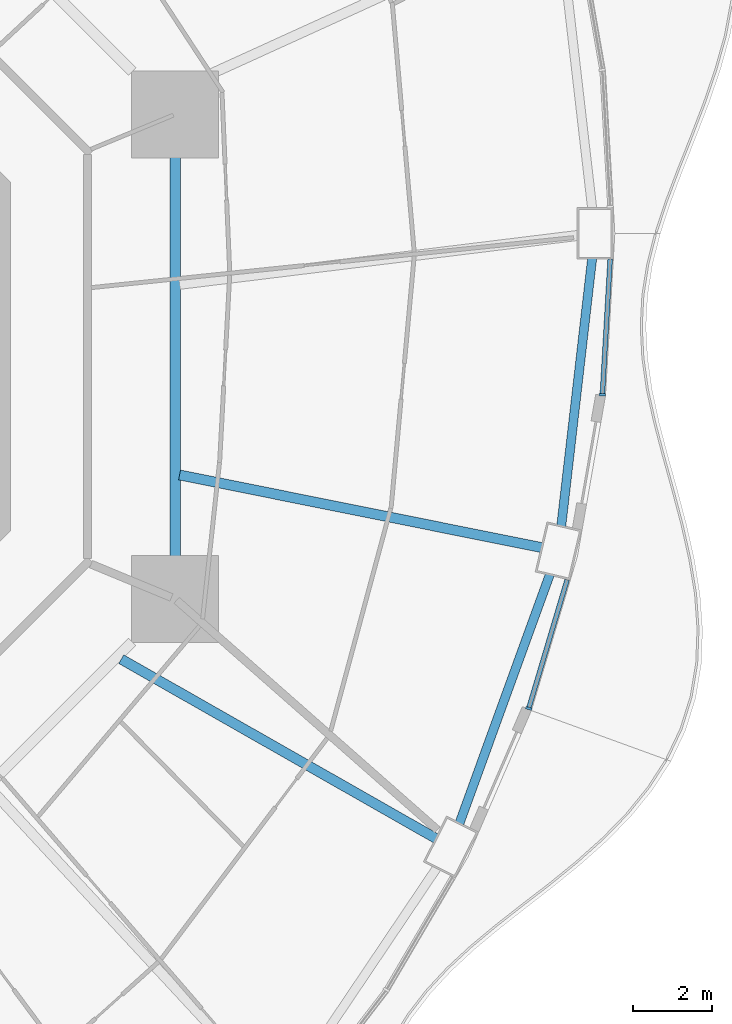
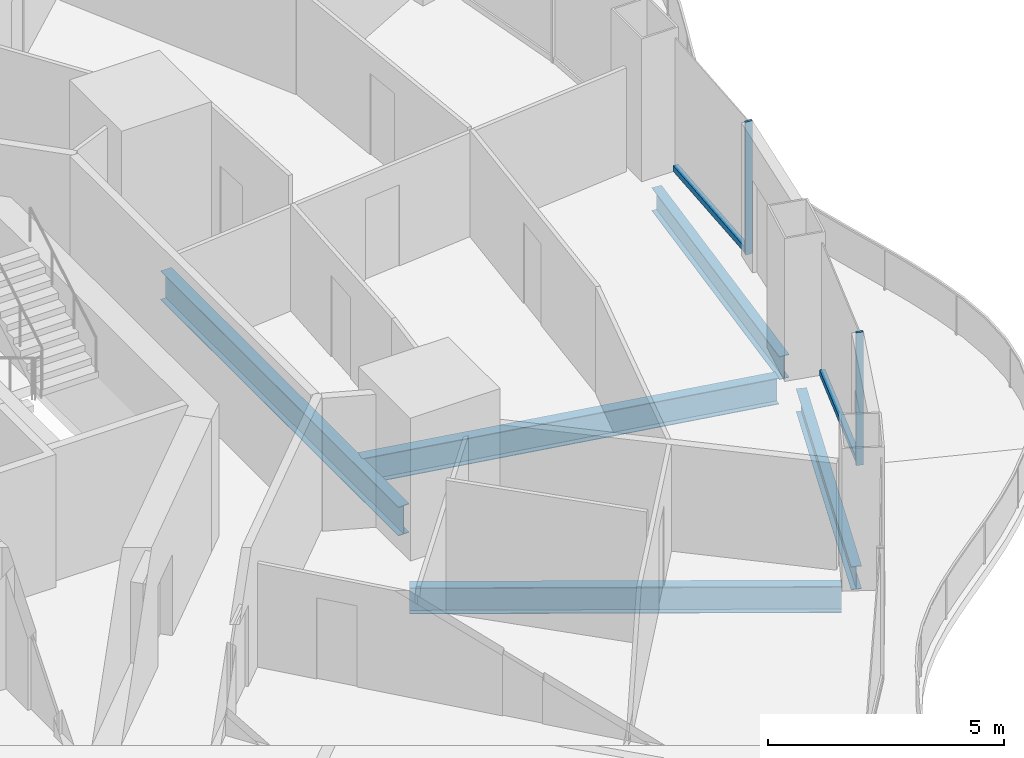
# One storey, part 6 of 22: 5 beams, 4 members, 2 elements without a shape of their own.
"""IFC4 building model written with IfcOpenShell, lengths in metres."""

from ifc_helpers import new_model, si_unit, direction, frame, origin, origin_2d, place, context, subcontext, project, spatial, rectangle, i_section, extrude, material, layer, layer_set, material_profile, profile_set, type_object, element, aggregate, save


model = new_model("IFC4")

# Units and contexts
model_context = context("Model", 3, precision=1e-05, world=origin(), true_north=direction((0.0, 1.0)))
body_context = subcontext(model_context, "Body", "Model", "MODEL_VIEW")
ifc_project = project(units=[si_unit("LENGTHUNIT", "METRE"), si_unit("AREAUNIT", "SQUARE_METRE"), si_unit("VOLUMEUNIT", "CUBIC_METRE"), si_unit("PLANEANGLEUNIT", "RADIAN"), si_unit("MASSUNIT", "GRAM", prefix="KILO")], contexts=[model_context])

# Site, building, storey
site_placement = place(None, origin())
site = spatial("IfcSite", under=ifc_project, at=site_placement, CompositionType="ELEMENT")
building_placement = place(site_placement, origin())
building = spatial("IfcBuilding", under=site, at=building_placement, Name="Nagisa Residences", CompositionType="ELEMENT")
storey_placement = place(building_placement, frame((0.0, 0.0, 99.199951171875)))
storey = spatial("IfcBuildingStorey", under=building, at=storey_placement, Name="L24", CompositionType="ELEMENT", Elevation=99.199951171875)

# Curtain wall, member
ifc_material_1 = material(Name="Concrete-coloured aluminium curtain wall system", Category="concrete")
ifc_layer = layer(ifc_material_1, 0.159912109375)
ifc_layer_set = layer_set([ifc_layer], Name="CW1 CURTAIN WALL")
curtain_wall_type = type_object("IfcCurtainWallType", Name="CW1 CURTAIN WALL", PredefinedType="NOTDEFINED", material=ifc_layer_set)
curtain_wall_1_placement = place(storey_placement, origin())
curtain_wall_1 = element("IfcCurtainWall", 1, at=curtain_wall_1_placement, inside=storey, type_object=curtain_wall_type, Name="cw:CW1:L24:45", PredefinedType="NOTDEFINED")
ifc_material_2 = material(Name="Concrete-coloured aluminium", Category="concrete")
ifc_material_profile_1 = material_profile(ifc_material_2, rectangle(XDim=0.159912109375, YDim=0.06005859375, at=origin_2d()), Name="CW1 MULLION 160x60")
ifc_profile_set_1 = profile_set([ifc_material_profile_1], Name="Concrete-coloured aluminium")
member_type_1 = type_object("IfcMemberType", Name="CW1 MULLION 160x60", PredefinedType="MULLION", material=ifc_profile_set_1)
member_1_placement = place(storey_placement, frame((23.71875, -8.890869140625, 0.0), z_axis=(0.0, 0.0, 1.0), x_axis=(-0.958271310082, 0.285860274038, 0.0)))
member_1 = element("IfcMember", 2, at=member_1_placement, type_object=member_type_1, Name="CW1 mullion", PredefinedType="MULLION", context=body_context, shape_type="SweptSolid", body=[
    extrude(rectangle(XDim=0.159912109375, YDim=0.06005859375, at=origin_2d()), origin(), (0.0, 0.0, 1.0), 3.43994140625),
])

curtain_wall_2_placement = place(storey_placement, origin())
curtain_wall_2 = element("IfcCurtainWall", 3, at=curtain_wall_2_placement, inside=storey, type_object=curtain_wall_type, Name="cw:CW1:L24:47", PredefinedType="NOTDEFINED")
member_2_placement = place(storey_placement, frame((25.579833984375, -0.961181640625, 0.0), z_axis=(0.0, 0.0, 1.0), x_axis=(-0.998345305184, 0.057503492216, 0.0)))
member_2 = element("IfcMember", 4, at=member_2_placement, type_object=member_type_1, Name="CW1 mullion", PredefinedType="MULLION", context=body_context, shape_type="SweptSolid", body=[
    extrude(rectangle(XDim=0.159912109375, YDim=0.06005859375, at=origin_2d()), origin(), (0.0, 0.0, 1.0), 3.43994140625),
])

# Member
ifc_material_3 = material(Name="Concrete-coloured aluminium", Category="concrete")
ifc_material_profile_2 = material_profile(ifc_material_3, rectangle(XDim=0.1201171875, YDim=0.14990234375, at=origin_2d()), Name="CW1 TRANSOM 120x150")
ifc_profile_set_2 = profile_set([ifc_material_profile_2], Name="Concrete-coloured aluminium")
member_type_2 = type_object("IfcMemberType", Name="CW1 TRANSOM 120x150", PredefinedType="USERDEFINED", material=ifc_profile_set_2)
member_3_placement = place(storey_placement, frame((23.710205078125, -8.919677734375, 0.074951171875), z_axis=(0.285882094477, 0.958264800594, 0.0), x_axis=(-0.958264800594, 0.285882094477, 0.0)))
member_3 = element("IfcMember", 5, at=member_3_placement, type_object=member_type_2, Name="CW1 transom", ObjectType="TRANSOM", PredefinedType="USERDEFINED", context=body_context, shape_type="SweptSolid", body=[
    extrude(rectangle(XDim=0.1201171875, YDim=0.14990234375, at=origin_2d()), origin(), (0.0, 0.0, 1.0), 3.423583984375),
])

aggregate(curtain_wall_1, [member_1, member_3])

member_4_placement = place(storey_placement, frame((25.578125, -0.9912109375, 0.074951171875), z_axis=(0.057546644052, 0.998342818754, 0.0), x_axis=(-0.998342818754, 0.057546644052, 0.0)))
member_4 = element("IfcMember", 6, at=member_4_placement, type_object=member_type_2, Name="CW1 transom", ObjectType="TRANSOM", PredefinedType="USERDEFINED", context=body_context, shape_type="SweptSolid", body=[
    extrude(rectangle(XDim=0.1201171875, YDim=0.14990234375, at=origin_2d()), origin(), (0.0, 0.0, 1.0), 3.470458984375),
])

aggregate(curtain_wall_2, [member_2, member_4])

# Beams
ifc_material_4 = material(Name="Steel ASTM A572 Gr 50", Category="steel")
ifc_material_profile_3 = material_profile(ifc_material_4, i_section(OverallWidth=0.264892578125, OverallDepth=0.7529296875, WebThickness=0.01318359375, FlangeThickness=0.01708984375, at=origin_2d()), Name="W760x147")
ifc_profile_set_3 = profile_set([ifc_material_profile_3], Name="Steel ASTM A572 Gr 50")
beam_type_1 = type_object("IfcBeamType", Name="Inner ring beam W760x147", PredefinedType="BEAM", material=ifc_profile_set_3)
beam_1_placement = place(storey_placement, frame((14.781982421875, -5.04296875, -0.636474609375), z_axis=(0.0, 1.0, 0.0), x_axis=(-1.0, 0.0, 0.0)))
element("IfcBeam", 7, at=beam_1_placement, inside=storey, type_object=beam_type_1, Name="beam:L24:ib8", PredefinedType="BEAM", context=body_context, shape_type="SweptSolid", body=[
    extrude(i_section(OverallWidth=0.264892578125, OverallDepth=0.7529296875, WebThickness=0.01318359375, FlangeThickness=0.01708984375, at=origin_2d()), origin(), (0.0, 0.0, 1.0), 10.0859375),
])
ifc_material_5 = material(Name="Steel ASTM A572 Gr 50", Category="steel")
ifc_material_profile_4 = material_profile(ifc_material_5, i_section(OverallWidth=0.22802734375, OverallDepth=0.60302734375, WebThickness=0.010498046875, FlangeThickness=0.014892578125, at=origin_2d()), Name="W610x101")
ifc_profile_set_4 = profile_set([ifc_material_profile_4], Name="Steel ASTM A572 Gr 50")
beam_type_2 = type_object("IfcBeamType", Name="Perimeter ring beam W610x101", PredefinedType="BEAM", material=ifc_profile_set_4)
beam_2_placement = place(storey_placement, frame((21.96826171875, -11.793212890625, -0.5615234375), z_axis=(0.341365002286, 0.939930814057, 0.0), x_axis=(-0.939930814057, 0.341365002286, 0.0)))
element("IfcBeam", 8, at=beam_2_placement, inside=storey, type_object=beam_type_2, Name="beam:L24:pb23", PredefinedType="BEAM", context=body_context, shape_type="SweptSolid", body=[
    extrude(i_section(OverallWidth=0.22802734375, OverallDepth=0.60302734375, WebThickness=0.010498046875, FlangeThickness=0.014892578125, at=origin_2d()), origin(), (0.0, 0.0, 1.0), 6.689208984375),
])
beam_3_placement = place(storey_placement, frame((24.541015625, -4.279296875, -0.5615234375), z_axis=(0.114690766503, 0.993401242237, 0.0), x_axis=(-0.993401242237, 0.114690766503, 0.0)))
element("IfcBeam", 9, at=beam_3_placement, inside=storey, type_object=beam_type_2, Name="beam:L24:pb24", PredefinedType="BEAM", context=body_context, shape_type="SweptSolid", body=[
    extrude(i_section(OverallWidth=0.22802734375, OverallDepth=0.60302734375, WebThickness=0.010498046875, FlangeThickness=0.014892578125, at=origin_2d()), origin(), (0.0, 0.0, 1.0), 6.811767578125),
])
ifc_material_6 = material(Name="Steel ASTM A572 Gr 50", Category="steel")
ifc_material_profile_5 = material_profile(ifc_material_6, i_section(OverallWidth=0.2529296875, OverallDepth=0.677978515625, WebThickness=0.01171875, FlangeThickness=0.016357421875, at=origin_2d()), Name="W690x125")
ifc_profile_set_5 = profile_set([ifc_material_profile_5], Name="Steel ASTM A572 Gr 50")
beam_type_3 = type_object("IfcBeamType", Name="Radial beam W690x125", PredefinedType="BEAM", material=ifc_profile_set_5)
beam_4_placement = place(storey_placement, frame((21.37744140625, -12.1767578125, -0.598876953125), z_axis=(-0.868924854865, 0.494944033804, 0.0), x_axis=(-0.494944033804, -0.868924854865, 0.0)))
element("IfcBeam", 10, at=beam_4_placement, inside=storey, type_object=beam_type_3, Name="beam:L24:rb23", PredefinedType="BEAM", context=body_context, shape_type="SweptSolid", body=[
    extrude(i_section(OverallWidth=0.2529296875, OverallDepth=0.677978515625, WebThickness=0.01171875, FlangeThickness=0.016357421875, at=origin_2d()), origin(), (0.0, 0.0, 1.0), 9.156982421875),
])
beam_5_placement = place(storey_placement, frame((24.046630859375, -4.824951171875, -0.598876953125), z_axis=(-0.980459769656, 0.196719699282, 0.0), x_axis=(-0.196719699282, -0.980459769656, 0.0)))
element("IfcBeam", 11, at=beam_5_placement, inside=storey, type_object=beam_type_3, Name="beam:L24:rb24", PredefinedType="BEAM", context=body_context, shape_type="SweptSolid", body=[
    extrude(i_section(OverallWidth=0.2529296875, OverallDepth=0.677978515625, WebThickness=0.01171875, FlangeThickness=0.016357421875, at=origin_2d()), origin(), (0.0, 0.0, 1.0), 9.333984375),
])

save(model, "model.ifc")
